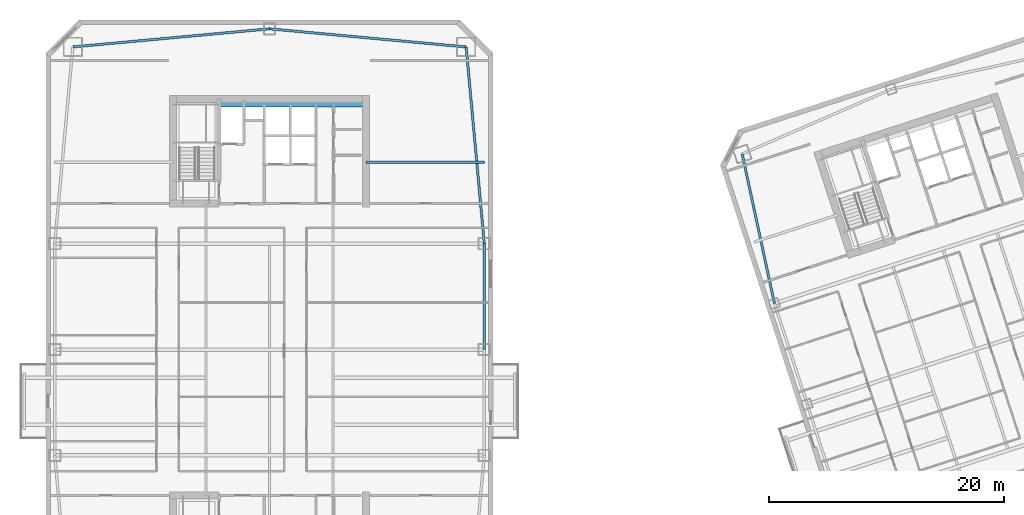
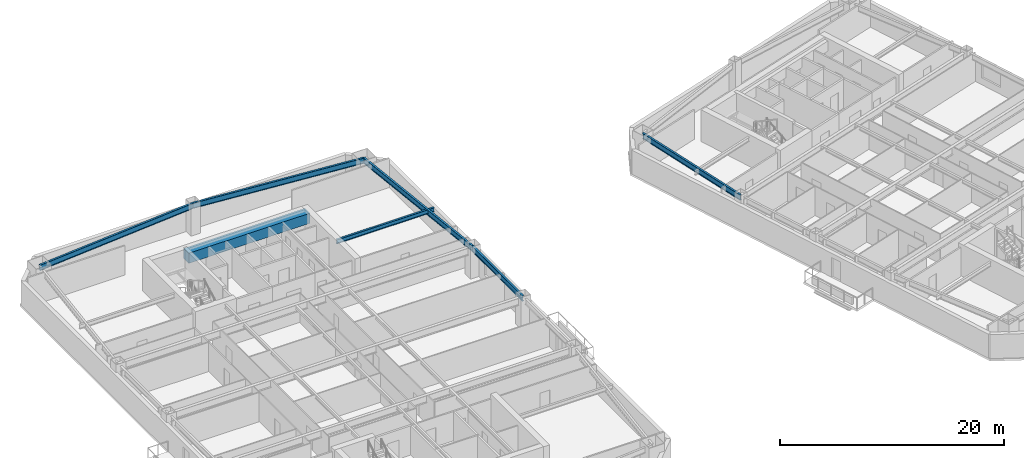
# One storey, part 7 of 22: 7 beams.
"""IFC4 building model written with IfcOpenShell, lengths in metres."""

from ifc_helpers import new_model, si_unit, direction, frame, origin, origin_2d, place, context, subcontext, project, spatial, rectangle, i_section, extrude, material, material_profile, profile_set, type_object, element, save


model = new_model("IFC4")

# Units and contexts
model_context = context("Model", 3, precision=1e-05, world=origin(), true_north=direction((0.0, 1.0)))
body_context = subcontext(model_context, "Body", "Model", "MODEL_VIEW")
ifc_project = project(units=[si_unit("LENGTHUNIT", "METRE"), si_unit("AREAUNIT", "SQUARE_METRE"), si_unit("VOLUMEUNIT", "CUBIC_METRE"), si_unit("PLANEANGLEUNIT", "RADIAN"), si_unit("MASSUNIT", "GRAM", prefix="KILO")], contexts=[model_context])

# Site, building, storey
site_placement = place(None, origin())
site = spatial("IfcSite", under=ifc_project, at=site_placement, CompositionType="ELEMENT")
building_placement = place(site_placement, origin())
building = spatial("IfcBuilding", under=site, at=building_placement, Name="Qiaolan Cultural Towers", CompositionType="ELEMENT")
storey_placement = place(building_placement, frame((0.0, 0.0, 146.050048828125)))
storey = spatial("IfcBuildingStorey", under=building, at=storey_placement, Name="L38", CompositionType="ELEMENT", Elevation=146.050048828125)

# Beams
ifc_material_1 = material(Name="Steel Q355B", Category="steel")
ifc_material_profile_1 = material_profile(ifc_material_1, i_section(OverallWidth=0.199951171875, OverallDepth=0.449951171875, WebThickness=0.009033203125, FlangeThickness=0.013916015625, at=origin_2d()), Name="HN450x200x9x14")
ifc_profile_set_1 = profile_set([ifc_material_profile_1], Name="Steel Q355B")
beam_type_1 = type_object("IfcBeamType", Name="BM-LNT-HN450x200x9x14", PredefinedType="LINTEL", material=ifc_profile_set_1)
beam_1_placement = place(storey_placement, frame((38.199951171875, 49.89990234375, 2.96484375), z_axis=(1.0, 0.0, 0.0), x_axis=(0.0, 1.0, 0.0)))
element("IfcBeam", 1, at=beam_1_placement, inside=storey, type_object=beam_type_1, Name="L38 T1 Core Flank Tie Lintel EN", PredefinedType="LINTEL", context=body_context, shape_type="SweptSolid", body=[
    extrude(i_section(OverallWidth=0.199951171875, OverallDepth=0.449951171875, WebThickness=0.009033203125, FlangeThickness=0.013916015625, at=origin_2d()), origin(), (0.0, 0.0, 1.0), 10.050048828125),
])
ifc_material_2 = material(Name="Concrete C50", Category="concrete")
ifc_material_profile_2 = material_profile(ifc_material_2, rectangle(XDim=0.89990234375, YDim=1.10009765625, at=origin_2d()), Name="RC900x1100")
ifc_profile_set_2 = profile_set([ifc_material_profile_2], Name="Concrete C50")
beam_type_2 = type_object("IfcBeamType", Name="BM-RC900x1100", PredefinedType="BEAM", material=ifc_profile_set_2)
beam_2_placement = place(storey_placement, frame((25.719970703125, 55.050048828125, 2.639892578125), z_axis=(1.0, 0.0, 0.0), x_axis=(0.0, 1.0, 0.0)))
element("IfcBeam", 2, at=beam_2_placement, inside=storey, type_object=beam_type_2, Name="L38 T1 Core Header Girder N", PredefinedType="BEAM", context=body_context, shape_type="SweptSolid", body=[
    extrude(rectangle(XDim=0.89990234375, YDim=1.10009765625, at=origin_2d()), origin(), (0.0, 0.0, 1.0), 12.47998046875),
])
ifc_material_3 = material(Name="Steel Q355B", Category="steel")
ifc_material_profile_3 = material_profile(ifc_material_3, i_section(OverallWidth=0.199951171875, OverallDepth=0.60009765625, WebThickness=0.010986328125, FlangeThickness=0.01708984375, at=origin_2d()), Name="HN600x200x11x17")
ifc_profile_set_3 = profile_set([ifc_material_profile_3], Name="Steel Q355B")
beam_type_3 = type_object("IfcBeamType", Name="BM-SPD-HN600x200x11x17", PredefinedType="SPANDREL", material=ifc_profile_set_3)
beam_3_placement = place(storey_placement, frame((48.25, 34.0, 2.889892578125), z_axis=(0.0, 1.0, 0.0), x_axis=(-1.0, 0.0, 0.0)))
element("IfcBeam", 3, at=beam_3_placement, inside=storey, type_object=beam_type_3, Name="L38 T1 Perimeter Spandrel Beam 5", PredefinedType="SPANDREL", context=body_context, shape_type="SweptSolid", body=[
    extrude(i_section(OverallWidth=0.199951171875, OverallDepth=0.60009765625, WebThickness=0.010986328125, FlangeThickness=0.01708984375, at=origin_2d()), origin(), (0.0, 0.0, 1.0), 9.0),
])
for number, where, z_axis, x_axis, name in (
    (4, (48.25, 43.0, 2.889892578125), (-0.09177399582, 0.995779862064, 0.0), (-0.995779862064, -0.09177399582, 0.0), "L38 T1 Perimeter Spandrel Beam 6"),
    (5, (46.7099609375, 59.7099609375, 2.889892578125), (-0.995779862064, 0.09177399582, 0.0), (-0.09177399582, -0.995779862064, 0.0), "L38 T1 Perimeter Spandrel Beam 7"),
    (6, (30.0, 61.25, 2.889892578125), (-0.995779862064, -0.09177399582, 0.0), (0.09177399582, -0.995779862064, 0.0), "L38 T1 Perimeter Spandrel Beam 8"),
):
    element("IfcBeam", number, at=place(storey_placement, frame(where, z_axis=z_axis, x_axis=x_axis)), inside=storey, type_object=beam_type_3, Name=name, PredefinedType="SPANDREL", context=body_context, shape_type="SweptSolid", body=[
        extrude(i_section(OverallWidth=0.199951171875, OverallDepth=0.60009765625, WebThickness=0.010986328125, FlangeThickness=0.01708984375, at=origin_2d()), origin(), (0.0, 0.0, 1.0), 16.78076171875),
    ])
beam_4_placement = place(storey_placement, frame((70.165283203125, 50.61376953125, 2.889892578125), z_axis=(0.210832241173, -0.977522258612, 0.0), x_axis=(0.977522258612, 0.210832241173, 0.0)))
element("IfcBeam", 7, at=beam_4_placement, inside=storey, type_object=beam_type_3, Name="L38 T2 Perimeter Spandrel Beam 9", PredefinedType="SPANDREL", context=body_context, shape_type="SweptSolid", body=[
    extrude(i_section(OverallWidth=0.199951171875, OverallDepth=0.60009765625, WebThickness=0.010986328125, FlangeThickness=0.01708984375, at=origin_2d()), origin(), (0.0, 0.0, 1.0), 12.997314453125),
])

save(model, "model.ifc")
